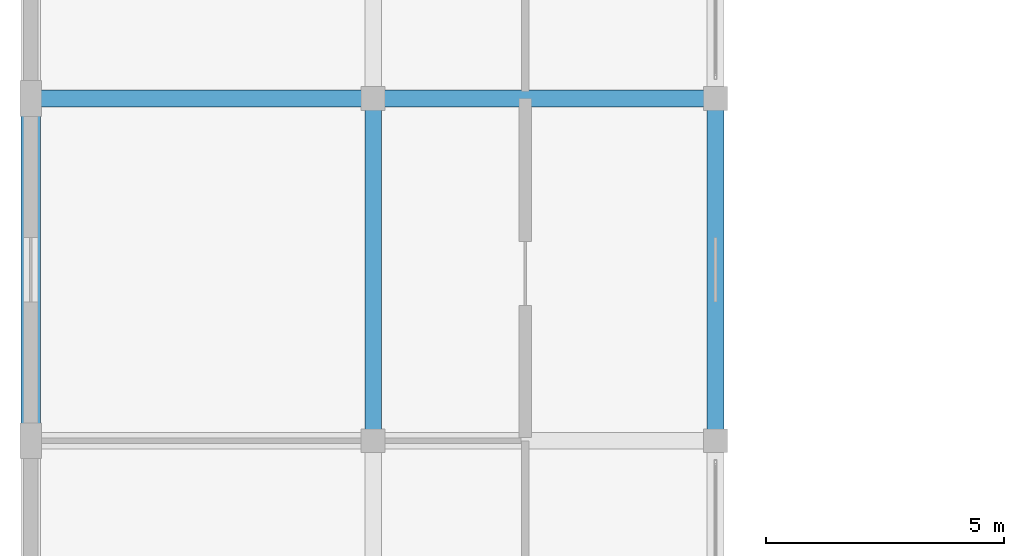
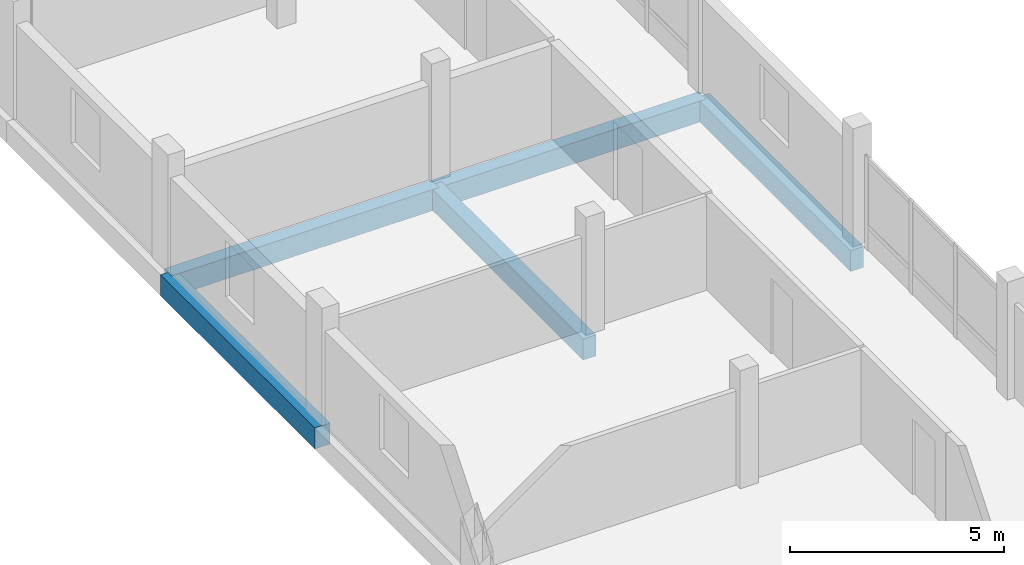
# One storey, part 7 of 18: 5 beams.
"""IFC4 building model written with IfcOpenShell, lengths in metres."""

from ifc_helpers import new_model, si_unit, direction, frame, origin, origin_2d, place, context, subcontext, project, spatial, rectangle, extrude, material, material_profile, profile_set, type_object, element, save


model = new_model("IFC4")

# Units and contexts
model_context = context("Model", 3, precision=1e-05, world=origin(), true_north=direction((0.0, 1.0)))
body_context = subcontext(model_context, "Body", "Model", "MODEL_VIEW")
ifc_project = project(units=[si_unit("LENGTHUNIT", "METRE"), si_unit("AREAUNIT", "SQUARE_METRE"), si_unit("VOLUMEUNIT", "CUBIC_METRE"), si_unit("PLANEANGLEUNIT", "RADIAN"), si_unit("MASSUNIT", "GRAM", prefix="KILO")], contexts=[model_context])

# Site, building, storey
site_placement = place(None, origin())
site = spatial("IfcSite", under=ifc_project, at=site_placement, CompositionType="ELEMENT")
building_placement = place(site_placement, origin())
building = spatial("IfcBuilding", under=site, at=building_placement, Name="Zornivar Specialist Clinic", CompositionType="ELEMENT")
storey_placement = place(building_placement, frame((0.0, 0.0, 23.39990234375)))
storey = spatial("IfcBuildingStorey", under=building, at=storey_placement, Name="L06", CompositionType="ELEMENT", Elevation=23.39990234375)

# Beams
ifc_material_1 = material(Name="Concrete C30/37", Category="concrete")
ifc_material_profile_1 = material_profile(ifc_material_1, rectangle(XDim=0.35009765625, YDim=0.60009765625, at=origin_2d()), Name="RC 350x600")
ifc_profile_set_1 = profile_set([ifc_material_profile_1], Name="Concrete C30/37")
beam_type_1 = type_object("IfcBeamType", Name="BM-RC-350x600", PredefinedType="BEAM", material=ifc_profile_set_1)
for number, where, z_axis, x_axis, name in (
    (1, (0.0, 28.800048828125, -0.579833984375), (1.0, 0.0, 0.0), (0.0, 1.0, 0.0), "bm:V2:L06:x:288:0"),
    (2, (7.199951171875, 28.800048828125, -0.579833984375), (1.0, 0.0, 0.0), (0.0, 1.0, 0.0), "bm:V2:L06:x:288:1"),
    (3, (7.199951171875, 21.60009765625, -0.579833984375), (0.0, 1.0, 0.0), (-1.0, 0.0, 0.0), "bm:V2:L06:y:72:3"),
    (4, (14.39990234375, 21.60009765625, -0.579833984375), (0.0, 1.0, 0.0), (-1.0, 0.0, 0.0), "bm:V2:L06:y:144:3"),
):
    element("IfcBeam", number, at=place(storey_placement, frame(where, z_axis=z_axis, x_axis=x_axis)), inside=storey, type_object=beam_type_1, Name=name, PredefinedType="BEAM", context=body_context, shape_type="SweptSolid", body=[
        extrude(rectangle(XDim=0.35009765625, YDim=0.60009765625, at=origin_2d()), origin(), (0.0, 0.0, 1.0), 7.199951171875),
    ])
ifc_material_2 = material(Name="Concrete C30/37", Category="concrete")
ifc_material_profile_2 = material_profile(ifc_material_2, rectangle(XDim=0.409912109375, YDim=0.60009765625, at=origin_2d()), Name="RC 410x600")
ifc_profile_set_2 = profile_set([ifc_material_profile_2], Name="Concrete C30/37")
beam_type_2 = type_object("IfcBeamType", Name="BM-RC-SPANDREL-410x600", PredefinedType="SPANDREL", material=ifc_profile_set_2)
beam_placement = place(storey_placement, frame((0.0, 21.60009765625, -0.579833984375), z_axis=(0.0, 1.0, 0.0), x_axis=(-1.0, 0.0, 0.0)))
element("IfcBeam", 5, at=beam_placement, inside=storey, type_object=beam_type_2, Name="bm:V2:L06:y:0:3", PredefinedType="SPANDREL", context=body_context, shape_type="SweptSolid", body=[
    extrude(rectangle(XDim=0.409912109375, YDim=0.60009765625, at=origin_2d()), origin(), (0.0, 0.0, 1.0), 7.199951171875),
])

save(model, "model.ifc")
